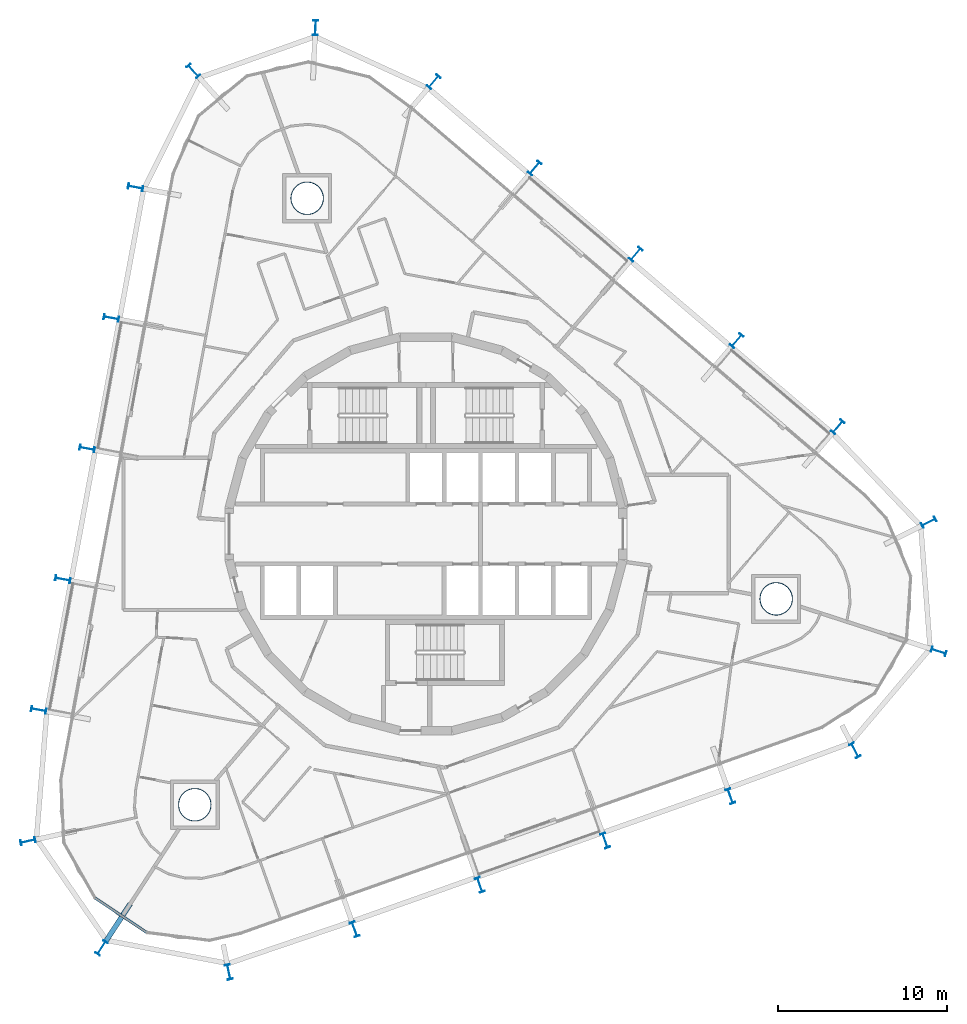
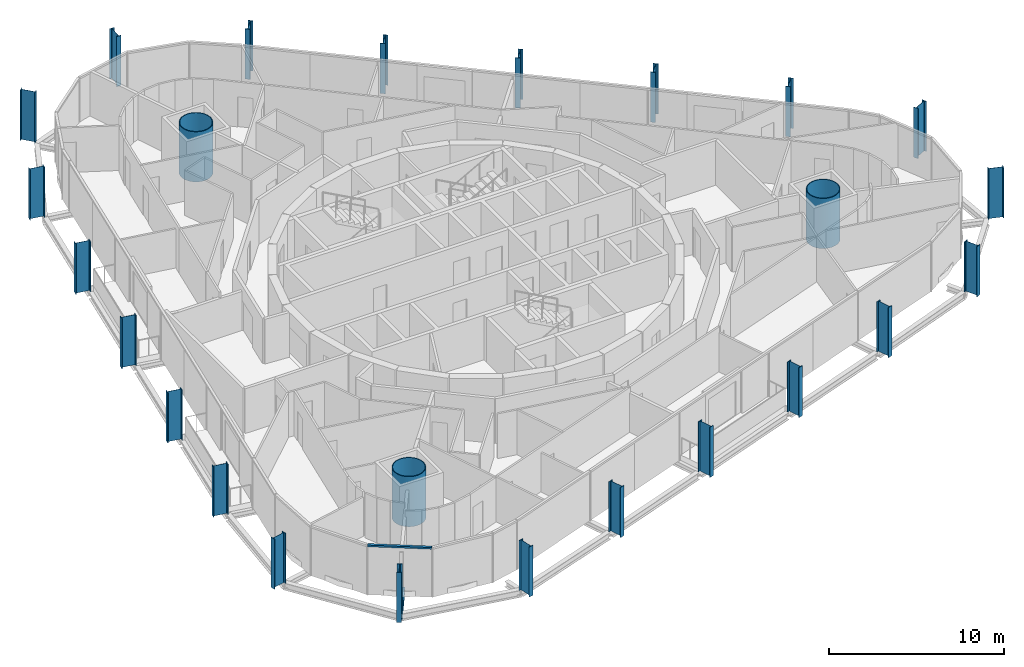
# One storey, part 1 of 17: 25 columns, 1 beam, 1 member, 1 element without a shape of its own.
"""IFC4 building model written with IfcOpenShell, lengths in metres."""

from ifc_helpers import new_model, si_unit, direction, frame, origin, origin_2d, place, context, subcontext, project, spatial, rectangle, hollow_circle, i_section, extrude, material, layer, layer_set, material_profile, profile_set, type_object, element, aggregate, save


model = new_model("IFC4")

# Units and contexts
model_context = context("Model", 3, precision=1e-05, world=origin(), true_north=direction((0.0, 1.0)))
body_context = subcontext(model_context, "Body", "Model", "MODEL_VIEW")
ifc_project = project(units=[si_unit("LENGTHUNIT", "METRE"), si_unit("AREAUNIT", "SQUARE_METRE"), si_unit("VOLUMEUNIT", "CUBIC_METRE"), si_unit("PLANEANGLEUNIT", "RADIAN"), si_unit("MASSUNIT", "GRAM", prefix="KILO")], contexts=[model_context])

# Site, building, storey
site_placement = place(None, origin())
site = spatial("IfcSite", under=ifc_project, at=site_placement, CompositionType="ELEMENT")
building_placement = place(site_placement, origin())
building = spatial("IfcBuilding", under=site, at=building_placement, Name="Spindle Arch Residences", CompositionType="ELEMENT")
storey_placement = place(building_placement, frame((0.0, 0.0, 176.199951171875)))
storey = spatial("IfcBuildingStorey", under=building, at=storey_placement, Name="L44", CompositionType="ELEMENT", Elevation=176.199951171875)

# Columns
ifc_material_1 = material(Name="Steel S460ML, intumescent coating R 240", Category="steel")
ifc_material_profile_1 = material_profile(ifc_material_1, i_section(OverallWidth=0.300048828125, OverallDepth=0.89990234375, WebThickness=0.0185546875, FlangeThickness=0.034912109375, FilletRadius=0.030029296875, at=origin_2d()), Name="HEB 900")
ifc_profile_set_1 = profile_set([ifc_material_profile_1], Name="Steel S460ML, intumescent coating R 240")
column_type_1 = type_object("IfcColumnType", Name="Exoskeleton post HEB 900", PredefinedType="COLUMN", material=ifc_profile_set_1)
for number, where, z_axis, x_axis, name in (
    (1, (10.592041015625, -18.1376953125, -0.3798828125), (0.0, 0.0, 1.0), (-0.942641392079, -0.333807138839, 0.0), "Exoskeleton post 1"),
    (2, (18.001220703125, -15.513916015625, -0.3798828125), (0.0, 0.0, 1.0), (-0.942641392079, -0.333807138839, 0.0), "Exoskeleton post 2"),
    (3, (25.37353515625, -12.79931640625, -0.3798828125), (0.0, 0.0, 1.0), (-0.887176487998, -0.461430253823, 0.0), "Exoskeleton post 3"),
    (4, (30.322509765625, -6.948486328125, -0.3798828125), (0.0, 0.0, 1.0), (-0.307880057726, -0.95142517838, 0.0), "Exoskeleton post 4"),
    (5, (29.739501953125, 0.6923828125, -0.3798828125), (0.0, 0.0, 1.0), (0.448657012727, -0.893704025352, 0.0), "Exoskeleton post 5"),
    (6, (24.357666015625, 6.330810546875, -0.3798828125), (0.0, 0.0, 1.0), (0.76040600398, -0.649448003393, 0.0), "Exoskeleton post 6"),
    (7, (18.380615234375, 11.435546875, -0.3798828125), (0.0, 0.0, 1.0), (0.76040600398, -0.649448003393, 0.0), "Exoskeleton post 7"),
    (8, (12.40380859375, 16.540283203125, -0.3798828125), (0.0, 0.0, 1.0), (0.76040600398, -0.649448003393, 0.0), "Exoskeleton post 8"),
    (9, (6.427001953125, 21.64501953125, -0.3798828125), (0.0, 0.0, 1.0), (0.76040600398, -0.649448003393, 0.0), "Exoskeleton post 9"),
    (10, (0.4501953125, 26.74951171875, -0.3798828125), (0.0, 0.0, 1.0), (0.76040600398, -0.649448003393, 0.0), "Exoskeleton post 10"),
    (11, (-6.53955078125, 29.945556640625, -0.3798828125), (0.0, 0.0, 1.0), (0.998810817099, -0.048753991075, 0.0), "Exoskeleton post 11"),
    (12, (-13.76318359375, 27.387451171875, -0.3798828125), (0.0, 0.0, 1.0), (0.745539941806, 0.666460947972, 0.0), "Exoskeleton post 12"),
    (13, (-17.183837890625, 20.505126953125, -0.3798828125), (0.0, 0.0, 1.0), (0.182235967681, 0.983254825609, 0.0), "Exoskeleton post 13"),
    (14, (-18.6162109375, 12.776611328125, -0.3798828125), (0.0, 0.0, 1.0), (0.182235967681, 0.983254825609, 0.0), "Exoskeleton post 14"),
    (15, (-20.048583984375, 5.048095703125, -0.3798828125), (0.0, 0.0, 1.0), (0.182235967681, 0.983254825609, 0.0), "Exoskeleton post 15"),
    (16, (-21.481201171875, -2.680419921875, -0.3798828125), (0.0, 0.0, 1.0), (0.182235967681, 0.983254825609, 0.0), "Exoskeleton post 16"),
    (17, (-22.91357421875, -10.40869140625, -0.3798828125), (0.0, 0.0, 1.0), (0.182235967681, 0.983254825609, 0.0), "Exoskeleton post 17"),
    (18, (-23.5478515625, -18.177490234375, -0.3798828125), (0.0, 0.0, 1.0), (-0.213754108667, 0.976887496607, 0.0), "Exoskeleton post 18"),
    (19, (-19.192138671875, -24.482666015625, -0.3798828125), (0.0, 0.0, 1.0), (-0.838019022948, 0.545641014933, 0.0), "Exoskeleton post 19"),
    (20, (-11.6640625, -25.9150390625, -0.3798828125), (0.0, 0.0, 1.0), (-0.979853205488, -0.199719041891, 0.0), "Exoskeleton post 20"),
    (21, (-4.226318359375, -23.385009765625, -0.3798828125), (0.0, 0.0, 1.0), (-0.942641392079, -0.333807138839, 0.0), "Exoskeleton post 21"),
    (22, (3.182861328125, -20.76123046875, -0.3798828125), (0.0, 0.0, 1.0), (-0.942641392079, -0.333807138839, 0.0), "Exoskeleton post 22"),
):
    element("IfcColumn", number, at=place(storey_placement, frame(where, z_axis=z_axis, x_axis=x_axis)), inside=storey, type_object=column_type_1, Name=name, PredefinedType="COLUMN", context=body_context, shape_type="SweptSolid", body=[
        extrude(i_section(OverallWidth=0.300048828125, OverallDepth=0.89990234375, WebThickness=0.0185546875, FlangeThickness=0.034912109375, FilletRadius=0.030029296875, at=origin_2d()), origin(), (0.0, 0.0, 1.0), 3.5),
    ])
ifc_material_2 = material(Name="Concrete C50/60 filled steel tube S460ML, intumescent coating R 240", Category="concrete")
ifc_material_profile_2 = material_profile(ifc_material_2, hollow_circle(Radius=0.97509765625, WallThickness=0.044921875, at=origin_2d()), Name="CFT D1950x45")
ifc_profile_set_2 = profile_set([ifc_material_profile_2], Name="Concrete C50/60 filled steel tube S460ML, intumescent coating R 240")
column_type_2 = type_object("IfcColumnType", Name="Mega-column CFT D1950x45", PredefinedType="COLUMN", material=ifc_profile_set_2)
for number, where, z_axis, x_axis, name in (
    (23, (20.713134765625, -3.839111328125, -0.3798828125), (0.0, 0.0, 1.0), (1.0, 0.0, 0.0), "Mega-column 1"),
    (24, (-7.031982421875, 19.857666015625, -0.3798828125), (0.0, 0.0, 1.0), (1.0, 0.0, 0.0), "Mega-column 2"),
    (25, (-13.68115234375, -16.0185546875, -0.3798828125), (0.0, 0.0, 1.0), (1.0, 0.0, 0.0), "Mega-column 3"),
):
    element("IfcColumn", number, at=place(storey_placement, frame(where, z_axis=z_axis, x_axis=x_axis)), inside=storey, type_object=column_type_2, Name=name, PredefinedType="COLUMN", context=body_context, shape_type="SweptSolid", body=[
        extrude(hollow_circle(Radius=0.97509765625, WallThickness=0.044921875, at=origin_2d()), origin(), (0.0, 0.0, 1.0), 3.5),
    ])

# Curtain wall, member
ifc_material_3 = material(Name="Aluminium bronze unitised frame with tinted glass", Category="aluminium")
ifc_layer = layer(ifc_material_3, 0.159912109375)
ifc_layer_set = layer_set([ifc_layer], Name="CW-D corner wall on the fillet arcs")
curtain_wall_type = type_object("IfcCurtainWallType", Name="CW-D corner wall on the fillet arcs", PredefinedType="NOTDEFINED", material=ifc_layer_set)
curtain_wall_placement = place(storey_placement, origin())
curtain_wall = element("IfcCurtainWall", 26, at=curtain_wall_placement, inside=storey, type_object=curtain_wall_type, Name="CW-D L44 run 5", PredefinedType="NOTDEFINED")
ifc_material_4 = material(Name="Aluminium bronze anodised transom", Category="aluminium")
ifc_material_profile_3 = material_profile(ifc_material_4, rectangle(XDim=0.159912109375, YDim=0.1201171875, at=origin_2d()), Name="TR 120x160")
ifc_profile_set_3 = profile_set([ifc_material_profile_3], Name="Aluminium bronze anodised transom")
member_type = type_object("IfcMemberType", Name="Bronze transom 120x160", PredefinedType="USERDEFINED", material=ifc_profile_set_3)
member_placement = place(storey_placement, frame((-19.58154296875, -21.528564453125, 3.06005859375), z_axis=(0.830623700005, -0.556834148549, 0.0), x_axis=(0.556834148549, 0.830623700005, 0.0)))
member = element("IfcMember", 27, at=member_placement, type_object=member_type, Name="CW-D transom 03", ObjectType="TRANSOM", PredefinedType="USERDEFINED", context=body_context, shape_type="SweptSolid", body=[
    extrude(rectangle(XDim=0.159912109375, YDim=0.1201171875, at=origin_2d()), origin(), (0.0, 0.0, 1.0), 3.666748046875),
])
aggregate(curtain_wall, [member])

# Beam
ifc_material_5 = material(Name="Steel S460ML, intumescent coating R 120", Category="steel")
ifc_material_profile_4 = material_profile(ifc_material_5, i_section(OverallWidth=0.300048828125, OverallDepth=0.389892578125, WebThickness=0.010986328125, FlangeThickness=0.01904296875, FilletRadius=0.027099609375, at=origin_2d()), Name="HEA 400")
ifc_profile_set_4 = profile_set([ifc_material_profile_4], Name="Steel S460ML, intumescent coating R 120")
beam_type = type_object("IfcBeamType", Name="Floor outrigger HEA 400", PredefinedType="BEAM", material=ifc_profile_set_4)
beam_placement = place(storey_placement, frame((-18.94677734375, -24.10546875, -0.574951171875), z_axis=(0.545674675997, 0.837997104992, 0.0), x_axis=(-0.837997104992, 0.545674675997, 0.0)))
element("IfcBeam", 28, at=beam_placement, inside=storey, type_object=beam_type, Name="Floor outrigger 19", PredefinedType="BEAM", context=body_context, shape_type="SweptSolid", body=[
    extrude(i_section(OverallWidth=0.300048828125, OverallDepth=0.389892578125, WebThickness=0.010986328125, FlangeThickness=0.01904296875, FilletRadius=0.027099609375, at=origin_2d()), origin(), (0.0, 0.0, 1.0), 2.64990234375),
])

save(model, "model.ifc")
